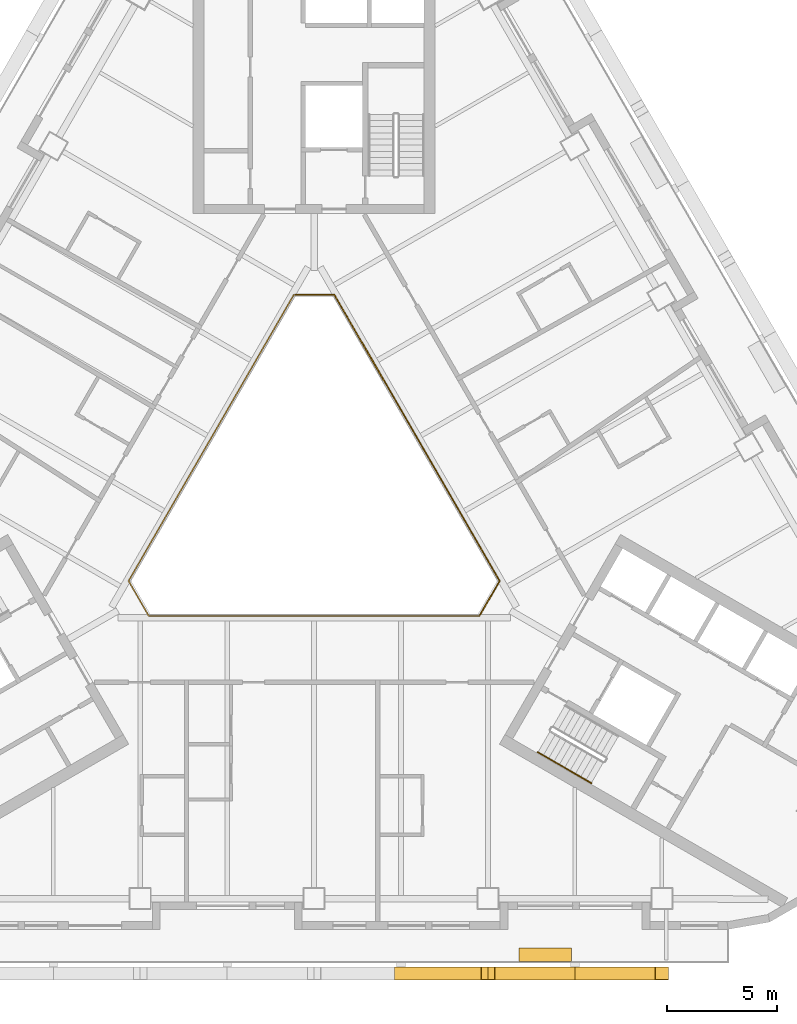
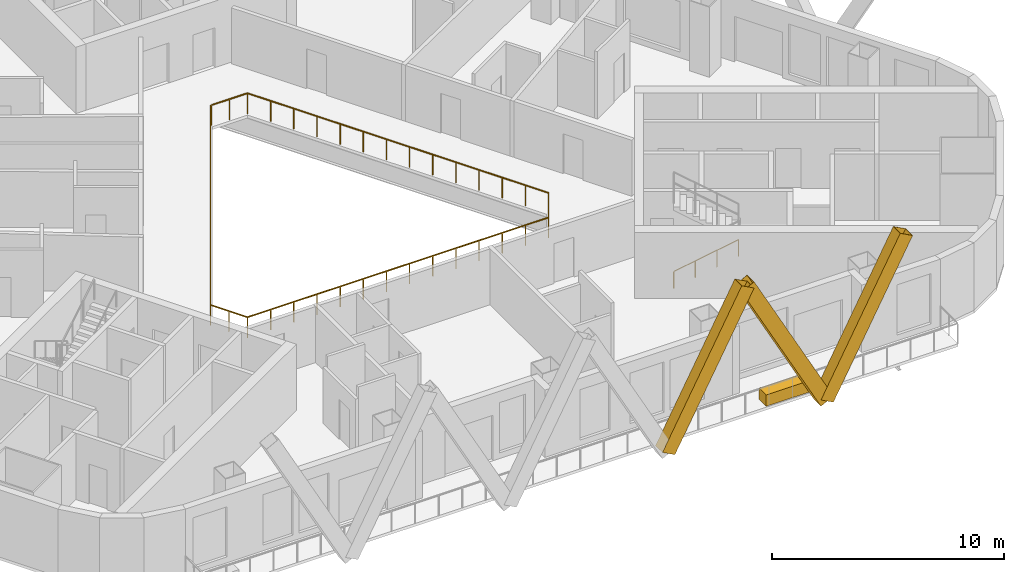
# One storey, part 11 of 14: 3 railings, 3 shading devices, 1 covering.
"""IFC4 building model written with IfcOpenShell, lengths in metres."""

from ifc_helpers import new_model, si_unit, direction, frame, origin, origin_2d, place, context, subcontext, project, spatial, rectangle, hollow_rectangle, circle, extrude, material, material_profile, profile_set, type_object, element, save


model = new_model("IFC4")

# Units and contexts
model_context = context("Model", 3, precision=1e-05, world=origin(), true_north=direction((0.0, 1.0)))
body_context = subcontext(model_context, "Body", "Model", "MODEL_VIEW")
ifc_project = project(units=[si_unit("LENGTHUNIT", "METRE"), si_unit("AREAUNIT", "SQUARE_METRE"), si_unit("VOLUMEUNIT", "CUBIC_METRE"), si_unit("PLANEANGLEUNIT", "RADIAN"), si_unit("MASSUNIT", "GRAM", prefix="KILO")], contexts=[model_context])

# Site, building, storey
site_placement = place(None, origin())
site = spatial("IfcSite", under=ifc_project, at=site_placement, CompositionType="ELEMENT")
building_placement = place(site_placement, origin())
building = spatial("IfcBuilding", under=site, at=building_placement, Name="Apuvela Tower Hotel", CompositionType="ELEMENT")
storey_placement = place(building_placement, frame((0.0, 0.0, 53.89990234375)))
storey = spatial("IfcBuildingStorey", under=building, at=storey_placement, Name="L10", CompositionType="ELEMENT", Elevation=53.89990234375)

# Railing
ifc_material_1 = material(Name="Stainless steel 316 handrail", Category="steel")
railing_type_1 = type_object("IfcRailingType", Name="COR-HANDRAIL-900", PredefinedType="HANDRAIL", material=ifc_material_1)
railing_1_placement = place(storey_placement, frame((10.1689453125, -11.5869140625, 0.168212890625)))
element("IfcRailing", 1, at=railing_1_placement, inside=storey, type_object=railing_type_1, Name="L10 ST3 stair handrail 1", PredefinedType="HANDRAIL", context=body_context, shape_type="SweptSolid", body=[
    extrude(circle(Radius=0.02392578125, at=origin_2d()), frame((0.0, 0.0, 0.8759765625), z_axis=(0.742390482028, -0.42860119049, 0.514934356695), x_axis=(0.49998411664, 0.866034573852, 0.0)), (0.0, 0.0, 1.0), 3.26611328125),
    extrude(rectangle(XDim=0.0419921875, YDim=0.0419921875, at=origin_2d()), origin(), (0.0, 0.0, 1.0), 0.851806640625),
    extrude(rectangle(XDim=0.0419921875, YDim=0.0419921875, at=origin_2d()), frame((0.808349609375, -0.466552734375, 0.560546875)), (0.0, 0.0, 1.0), 0.851806640625),
    extrude(rectangle(XDim=0.0419921875, YDim=0.0419921875, at=origin_2d()), frame((1.616455078125, -0.933349609375, 1.121337890625)), (0.0, 0.0, 1.0), 0.851806640625),
    extrude(rectangle(XDim=0.0419921875, YDim=0.0419921875, at=origin_2d()), frame((2.4248046875, -1.39990234375, 1.681884765625)), (0.0, 0.0, 1.0), 0.851806640625),
])

# Shading devices
ifc_material_2 = material(Name="Aluminium 6063-T6, black anodised", Category="aluminium")
ifc_material_profile = material_profile(ifc_material_2, hollow_rectangle(XDim=0.60009765625, YDim=0.699951171875, WallThickness=0.011962890625, at=origin_2d()), Name="AL BOX 700x600x12")
ifc_profile_set = profile_set([ifc_material_profile], Name="Aluminium 6063-T6, black anodised")
shading_device_type = type_object("IfcShadingDeviceType", Name="ENV-FIN-700x600", PredefinedType="USERDEFINED", material=ifc_profile_set)
for number, where, z_axis, x_axis, name in (
    (2, (3.949951171875, -21.6298828125, -0.099853515625), (0.470897892863, 0.0, 0.882187720668), (0.0, 1.0, 0.0), "Lattice fin S14"),
    (3, (11.85009765625, -21.6298828125, -0.099853515625), (-0.470920543904, 0.0, 0.882175629526), (0.0, -1.0, 0.0), "Lattice fin S15"),
    (4, (11.85009765625, -21.6298828125, -0.099853515625), (0.470897892863, 0.0, 0.882187720668), (0.0, 1.0, 0.0), "Lattice fin S16"),
):
    element("IfcShadingDevice", number, at=place(storey_placement, frame(where, z_axis=z_axis, x_axis=x_axis)), inside=storey, type_object=shading_device_type, Name=name, ObjectType="FIN", PredefinedType="USERDEFINED", context=body_context, shape_type="SweptSolid", body=[
        extrude(hollow_rectangle(XDim=0.60009765625, YDim=0.699951171875, WallThickness=0.011962890625, at=origin_2d()), origin(), (0.0, 0.0, 1.0), 8.38818359375),
    ])

# Railings
ifc_material_3 = material(Name="Stainless steel 316 rail with laminated glass infill", Category="steel")
railing_type_2 = type_object("IfcRailingType", Name="ENV-GUARD-1100", PredefinedType="GUARDRAIL", material=ifc_material_3)
railing_2_placement = place(storey_placement, frame((-0.923828125, 9.199951171875, 0.0)))
element("IfcRailing", 5, at=railing_2_placement, inside=storey, type_object=railing_type_2, Name="Atrium void guard A L10", PredefinedType="GUARDRAIL", context=body_context, shape_type="SweptSolid", body=[
    extrude(rectangle(XDim=0.050048828125, YDim=0.050048828125, at=origin_2d()), frame((0.0, 0.0, 1.0751953125), z_axis=(-0.499990886379, -0.866030665472, 0.0), x_axis=(0.866030665472, -0.499990886379, 0.0)), (0.0, 0.0, 1.0), 15.010986328125),
    extrude(rectangle(XDim=0.050048828125, YDim=0.050048828125, at=origin_2d()), frame((-7.50537109375, -13.0, 1.0751953125), z_axis=(0.499962699187, -0.866046938348, 0.0), x_axis=(0.866046938348, 0.499962699187, 0.0)), (0.0, 0.0, 1.0), 1.847412109375),
    extrude(rectangle(XDim=0.050048828125, YDim=0.050048828125, at=origin_2d()), frame((-6.581787109375, -14.599853515625, 1.0751953125), z_axis=(1.0, 0.0, 0.0), x_axis=(0.0, 1.0, 0.0)), (0.0, 0.0, 1.0), 15.01123046875),
    extrude(rectangle(XDim=0.0400390625, YDim=0.0400390625, at=origin_2d()), origin(), (0.0, 0.0, 1.0), 1.050048828125),
    extrude(rectangle(XDim=0.0400390625, YDim=0.0400390625, at=origin_2d()), frame((-0.577392578125, -1.0, 0.0)), (0.0, 0.0, 1.0), 1.050048828125),
    extrude(rectangle(XDim=0.0400390625, YDim=0.0400390625, at=origin_2d()), frame((-1.15478515625, -2.0, 0.0)), (0.0, 0.0, 1.0), 1.050048828125),
    extrude(rectangle(XDim=0.0400390625, YDim=0.0400390625, at=origin_2d()), frame((-1.73193359375, -3.0, 0.0)), (0.0, 0.0, 1.0), 1.050048828125),
    extrude(rectangle(XDim=0.0400390625, YDim=0.0400390625, at=origin_2d()), frame((-2.309326171875, -4.0, 0.0)), (0.0, 0.0, 1.0), 1.050048828125),
    extrude(rectangle(XDim=0.0400390625, YDim=0.0400390625, at=origin_2d()), frame((-2.88671875, -5.0, 0.0)), (0.0, 0.0, 1.0), 1.050048828125),
    extrude(rectangle(XDim=0.0400390625, YDim=0.0400390625, at=origin_2d()), frame((-3.464111328125, -6.0, 0.0)), (0.0, 0.0, 1.0), 1.050048828125),
    extrude(rectangle(XDim=0.0400390625, YDim=0.0400390625, at=origin_2d()), frame((-4.041259765625, -7.0, 0.0)), (0.0, 0.0, 1.0), 1.050048828125),
    extrude(rectangle(XDim=0.0400390625, YDim=0.0400390625, at=origin_2d()), frame((-4.61865234375, -8.0, 0.0)), (0.0, 0.0, 1.0), 1.050048828125),
    extrude(rectangle(XDim=0.0400390625, YDim=0.0400390625, at=origin_2d()), frame((-5.196044921875, -9.0, 0.0)), (0.0, 0.0, 1.0), 1.050048828125),
    extrude(rectangle(XDim=0.0400390625, YDim=0.0400390625, at=origin_2d()), frame((-5.7734375, -10.0, 0.0)), (0.0, 0.0, 1.0), 1.050048828125),
    extrude(rectangle(XDim=0.0400390625, YDim=0.0400390625, at=origin_2d()), frame((-6.3505859375, -11.0, 0.0)), (0.0, 0.0, 1.0), 1.050048828125),
    extrude(rectangle(XDim=0.0400390625, YDim=0.0400390625, at=origin_2d()), frame((-6.927978515625, -12.0, 0.0)), (0.0, 0.0, 1.0), 1.050048828125),
    extrude(rectangle(XDim=0.0400390625, YDim=0.0400390625, at=origin_2d()), frame((-7.50537109375, -13.0, 0.0)), (0.0, 0.0, 1.0), 1.050048828125),
    extrude(rectangle(XDim=0.0400390625, YDim=0.0400390625, at=origin_2d()), frame((-7.04345703125, -13.7998046875, 0.0)), (0.0, 0.0, 1.0), 1.050048828125),
    extrude(rectangle(XDim=0.0400390625, YDim=0.0400390625, at=origin_2d()), frame((-6.581787109375, -14.599853515625, 0.0)), (0.0, 0.0, 1.0), 1.050048828125),
    extrude(rectangle(XDim=0.0400390625, YDim=0.0400390625, at=origin_2d()), frame((-5.427001953125, -14.599853515625, 0.0)), (0.0, 0.0, 1.0), 1.050048828125),
    extrude(rectangle(XDim=0.0400390625, YDim=0.0400390625, at=origin_2d()), frame((-4.2724609375, -14.599853515625, 0.0)), (0.0, 0.0, 1.0), 1.050048828125),
    extrude(rectangle(XDim=0.0400390625, YDim=0.0400390625, at=origin_2d()), frame((-3.11767578125, -14.599853515625, 0.0)), (0.0, 0.0, 1.0), 1.050048828125),
    extrude(rectangle(XDim=0.0400390625, YDim=0.0400390625, at=origin_2d()), frame((-1.962890625, -14.599853515625, 0.0)), (0.0, 0.0, 1.0), 1.050048828125),
    extrude(rectangle(XDim=0.0400390625, YDim=0.0400390625, at=origin_2d()), frame((-0.808349609375, -14.599853515625, 0.0)), (0.0, 0.0, 1.0), 1.050048828125),
    extrude(rectangle(XDim=0.0400390625, YDim=0.0400390625, at=origin_2d()), frame((0.346435546875, -14.599853515625, 0.0)), (0.0, 0.0, 1.0), 1.050048828125),
    extrude(rectangle(XDim=0.0400390625, YDim=0.0400390625, at=origin_2d()), frame((1.501220703125, -14.599853515625, 0.0)), (0.0, 0.0, 1.0), 1.050048828125),
    extrude(rectangle(XDim=0.0400390625, YDim=0.0400390625, at=origin_2d()), frame((2.656005859375, -14.599853515625, 0.0)), (0.0, 0.0, 1.0), 1.050048828125),
    extrude(rectangle(XDim=0.0400390625, YDim=0.0400390625, at=origin_2d()), frame((3.810546875, -14.599853515625, 0.0)), (0.0, 0.0, 1.0), 1.050048828125),
    extrude(rectangle(XDim=0.0400390625, YDim=0.0400390625, at=origin_2d()), frame((4.96533203125, -14.599853515625, 0.0)), (0.0, 0.0, 1.0), 1.050048828125),
    extrude(rectangle(XDim=0.0400390625, YDim=0.0400390625, at=origin_2d()), frame((6.1201171875, -14.599853515625, 0.0)), (0.0, 0.0, 1.0), 1.050048828125),
    extrude(rectangle(XDim=0.0400390625, YDim=0.0400390625, at=origin_2d()), frame((7.274658203125, -14.599853515625, 0.0)), (0.0, 0.0, 1.0), 1.050048828125),
    extrude(rectangle(XDim=0.0400390625, YDim=0.0400390625, at=origin_2d()), frame((8.429443359375, -14.599853515625, 0.0)), (0.0, 0.0, 1.0), 1.050048828125),
])
railing_3_placement = place(storey_placement, frame((7.53564453125, -5.347900390625, 0.0)))
element("IfcRailing", 6, at=railing_3_placement, inside=storey, type_object=railing_type_2, Name="Atrium void guard B L10", PredefinedType="GUARDRAIL", context=body_context, shape_type="SweptSolid", body=[
    extrude(rectangle(XDim=0.050048828125, YDim=0.050048828125, at=origin_2d()), frame((0.0, 0.0, 1.0751953125), z_axis=(0.499958946799, 0.866049104564, 0.0), x_axis=(-0.866049104564, 0.499958946799, 0.0)), (0.0, 0.0, 1.0), 1.787353515625),
    extrude(rectangle(XDim=0.050048828125, YDim=0.050048828125, at=origin_2d()), frame((0.8935546875, 1.5478515625, 1.0751953125), z_axis=(-0.499990886379, 0.866030665472, 0.0), x_axis=(-0.866030665472, -0.499990886379, 0.0)), (0.0, 0.0, 1.0), 15.010986328125),
    extrude(rectangle(XDim=0.050048828125, YDim=0.050048828125, at=origin_2d()), frame((-6.61181640625, 14.5478515625, 1.0751953125), z_axis=(-1.0, 0.0, 0.0), x_axis=(0.0, -1.0, 0.0)), (0.0, 0.0, 1.0), 1.78759765625),
    extrude(rectangle(XDim=0.0400390625, YDim=0.0400390625, at=origin_2d()), origin(), (0.0, 0.0, 1.0), 1.050048828125),
    extrude(rectangle(XDim=0.0400390625, YDim=0.0400390625, at=origin_2d()), frame((0.44677734375, 0.77392578125, 0.0)), (0.0, 0.0, 1.0), 1.050048828125),
    extrude(rectangle(XDim=0.0400390625, YDim=0.0400390625, at=origin_2d()), frame((0.8935546875, 1.5478515625, 0.0)), (0.0, 0.0, 1.0), 1.050048828125),
    extrude(rectangle(XDim=0.0400390625, YDim=0.0400390625, at=origin_2d()), frame((0.316162109375, 2.5478515625, 0.0)), (0.0, 0.0, 1.0), 1.050048828125),
    extrude(rectangle(XDim=0.0400390625, YDim=0.0400390625, at=origin_2d()), frame((-0.26123046875, 3.5478515625, 0.0)), (0.0, 0.0, 1.0), 1.050048828125),
    extrude(rectangle(XDim=0.0400390625, YDim=0.0400390625, at=origin_2d()), frame((-0.83837890625, 4.5478515625, 0.0)), (0.0, 0.0, 1.0), 1.050048828125),
    extrude(rectangle(XDim=0.0400390625, YDim=0.0400390625, at=origin_2d()), frame((-1.415771484375, 5.5478515625, 0.0)), (0.0, 0.0, 1.0), 1.050048828125),
    extrude(rectangle(XDim=0.0400390625, YDim=0.0400390625, at=origin_2d()), frame((-1.9931640625, 6.5478515625, 0.0)), (0.0, 0.0, 1.0), 1.050048828125),
    extrude(rectangle(XDim=0.0400390625, YDim=0.0400390625, at=origin_2d()), frame((-2.570556640625, 7.5478515625, 0.0)), (0.0, 0.0, 1.0), 1.050048828125),
    extrude(rectangle(XDim=0.0400390625, YDim=0.0400390625, at=origin_2d()), frame((-3.147705078125, 8.5478515625, 0.0)), (0.0, 0.0, 1.0), 1.050048828125),
    extrude(rectangle(XDim=0.0400390625, YDim=0.0400390625, at=origin_2d()), frame((-3.72509765625, 9.5478515625, 0.0)), (0.0, 0.0, 1.0), 1.050048828125),
    extrude(rectangle(XDim=0.0400390625, YDim=0.0400390625, at=origin_2d()), frame((-4.302490234375, 10.5478515625, 0.0)), (0.0, 0.0, 1.0), 1.050048828125),
    extrude(rectangle(XDim=0.0400390625, YDim=0.0400390625, at=origin_2d()), frame((-4.8798828125, 11.5478515625, 0.0)), (0.0, 0.0, 1.0), 1.050048828125),
    extrude(rectangle(XDim=0.0400390625, YDim=0.0400390625, at=origin_2d()), frame((-5.45703125, 12.5478515625, 0.0)), (0.0, 0.0, 1.0), 1.050048828125),
    extrude(rectangle(XDim=0.0400390625, YDim=0.0400390625, at=origin_2d()), frame((-6.034423828125, 13.5478515625, 0.0)), (0.0, 0.0, 1.0), 1.050048828125),
    extrude(rectangle(XDim=0.0400390625, YDim=0.0400390625, at=origin_2d()), frame((-6.61181640625, 14.5478515625, 0.0)), (0.0, 0.0, 1.0), 1.050048828125),
    extrude(rectangle(XDim=0.0400390625, YDim=0.0400390625, at=origin_2d()), frame((-7.505615234375, 14.5478515625, 0.0)), (0.0, 0.0, 1.0), 1.050048828125),
    extrude(rectangle(XDim=0.0400390625, YDim=0.0400390625, at=origin_2d()), frame((-8.3994140625, 14.5478515625, 0.0)), (0.0, 0.0, 1.0), 1.050048828125),
])

# Covering
ifc_material_4 = material(Name="Planting substrate and soil, planted")
covering_type = type_object("IfcCoveringType", Name="ENV-PLANTER-2400x600", PredefinedType="USERDEFINED", material=ifc_material_4)
covering_placement = place(storey_placement, frame((10.5, -20.780029296875, 0.0), z_axis=(0.0, 0.0, 1.0), x_axis=(1.0, 0.0, 0.0)))
element("IfcCovering", 7, at=covering_placement, inside=storey, type_object=covering_type, Name="Planter S2", ObjectType="PLANTER", PredefinedType="USERDEFINED", context=body_context, shape_type="SweptSolid", body=[
    extrude(rectangle(XDim=2.39990234375, YDim=0.60009765625, at=origin_2d()), origin(), (0.0, 0.0, 1.0), 0.60009765625),
])

save(model, "model.ifc")
